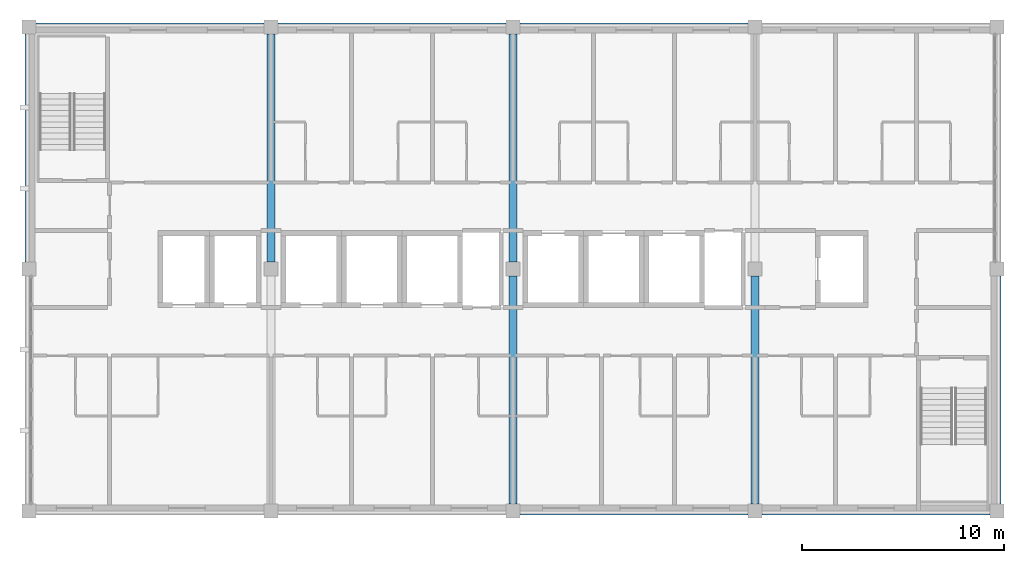
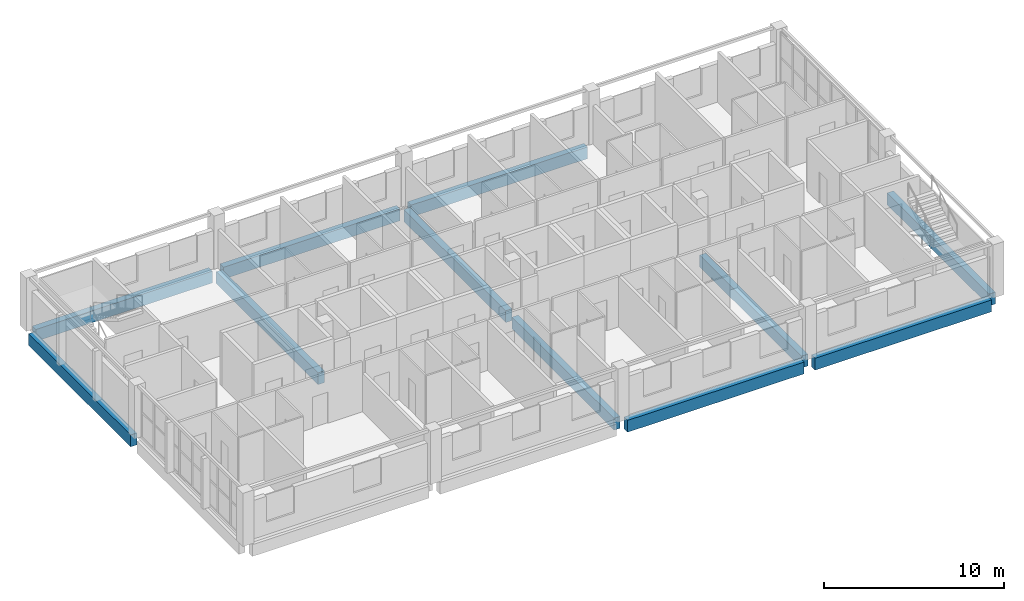
# One storey, part 3 of 11: 11 beams.
"""IFC4 building model written with IfcOpenShell, lengths in metres."""

from ifc_helpers import new_model, si_unit, direction, frame, origin, origin_2d, place, context, subcontext, project, spatial, rectangle, extrude, material, material_profile, profile_set, type_object, element, save


model = new_model("IFC4")

# Units and contexts
model_context = context("Model", 3, precision=1e-05, world=origin(), true_north=direction((0.0, 1.0)))
body_context = subcontext(model_context, "Body", "Model", "MODEL_VIEW")
ifc_project = project(units=[si_unit("LENGTHUNIT", "METRE"), si_unit("AREAUNIT", "SQUARE_METRE"), si_unit("VOLUMEUNIT", "CUBIC_METRE"), si_unit("PLANEANGLEUNIT", "RADIAN"), si_unit("MASSUNIT", "GRAM", prefix="KILO")], contexts=[model_context])

# Site, building, storey
site_placement = place(None, origin())
site = spatial("IfcSite", under=ifc_project, at=site_placement, CompositionType="ELEMENT")
building_placement = place(site_placement, origin())
building = spatial("IfcBuilding", under=site, at=building_placement, Name="Lilac Gate Convention Centre", CompositionType="ELEMENT")
storey_placement = place(building_placement, frame((0.0, 0.0, 53.39990234375)))
storey = spatial("IfcBuildingStorey", under=building, at=storey_placement, Name="L13", CompositionType="ELEMENT", Elevation=53.39990234375)

# Beams
ifc_material = material(Name="Concrete C40", Category="concrete")
ifc_material_profile = material_profile(ifc_material, rectangle(XDim=0.39990234375, YDim=0.800048828125, at=origin_2d()), Name="RC 400x800")
ifc_profile_set = profile_set([ifc_material_profile], Name="Concrete C40")
beam_type = type_object("IfcBeamType", Name="Tower primary beam 400x800 C40", PredefinedType="BEAM", material=ifc_profile_set)
for number, where, z_axis, x_axis, name in (
    (1, (66.35009765625, 222.0, -0.599853515625), (1.0, 0.0, 0.0), (0.0, 1.0, 0.0), "RB3 L13 6/S-7/S"),
    (2, (78.35009765625, 222.0, -0.599853515625), (1.0, 0.0, 0.0), (0.0, 1.0, 0.0), "RB3 L13 7/S-8/S"),
    (3, (42.35009765625, 246.0, -0.599853515625), (1.0, 0.0, 0.0), (0.0, 1.0, 0.0), "RB3 L13 4/U-5/U"),
    (4, (54.35009765625, 246.0, -0.599853515625), (1.0, 0.0, 0.0), (0.0, 1.0, 0.0), "RB3 L13 5/U-6/U"),
    (5, (66.35009765625, 246.0, -0.599853515625), (1.0, 0.0, 0.0), (0.0, 1.0, 0.0), "RB3 L13 6/U-7/U"),
    (6, (42.0, 234.35009765625, -0.599853515625), (0.0, 1.0, 0.0), (-1.0, 0.0, 0.0), "RB3 L13 4/T-4/U"),
    (7, (54.0, 234.35009765625, -0.599853515625), (0.0, 1.0, 0.0), (-1.0, 0.0, 0.0), "RB3 L13 5/T-5/U"),
    (8, (66.0, 222.35009765625, -0.599853515625), (0.0, 1.0, 0.0), (-1.0, 0.0, 0.0), "RB3 L13 6/S-6/T"),
    (9, (66.0, 234.35009765625, -0.599853515625), (0.0, 1.0, 0.0), (-1.0, 0.0, 0.0), "RB3 L13 6/T-6/U"),
    (10, (78.0, 222.35009765625, -0.599853515625), (0.0, 1.0, 0.0), (-1.0, 0.0, 0.0), "RB3 L13 7/S-7/T"),
    (11, (90.0, 222.35009765625, -0.599853515625), (0.0, 1.0, 0.0), (-1.0, 0.0, 0.0), "RB3 L13 8/S-8/T"),
):
    element("IfcBeam", number, at=place(storey_placement, frame(where, z_axis=z_axis, x_axis=x_axis)), inside=storey, type_object=beam_type, Name=name, PredefinedType="BEAM", context=body_context, shape_type="SweptSolid", body=[
        extrude(rectangle(XDim=0.39990234375, YDim=0.800048828125, at=origin_2d()), origin(), (0.0, 0.0, 1.0), 11.2998046875),
    ])

save(model, "model.ifc")
